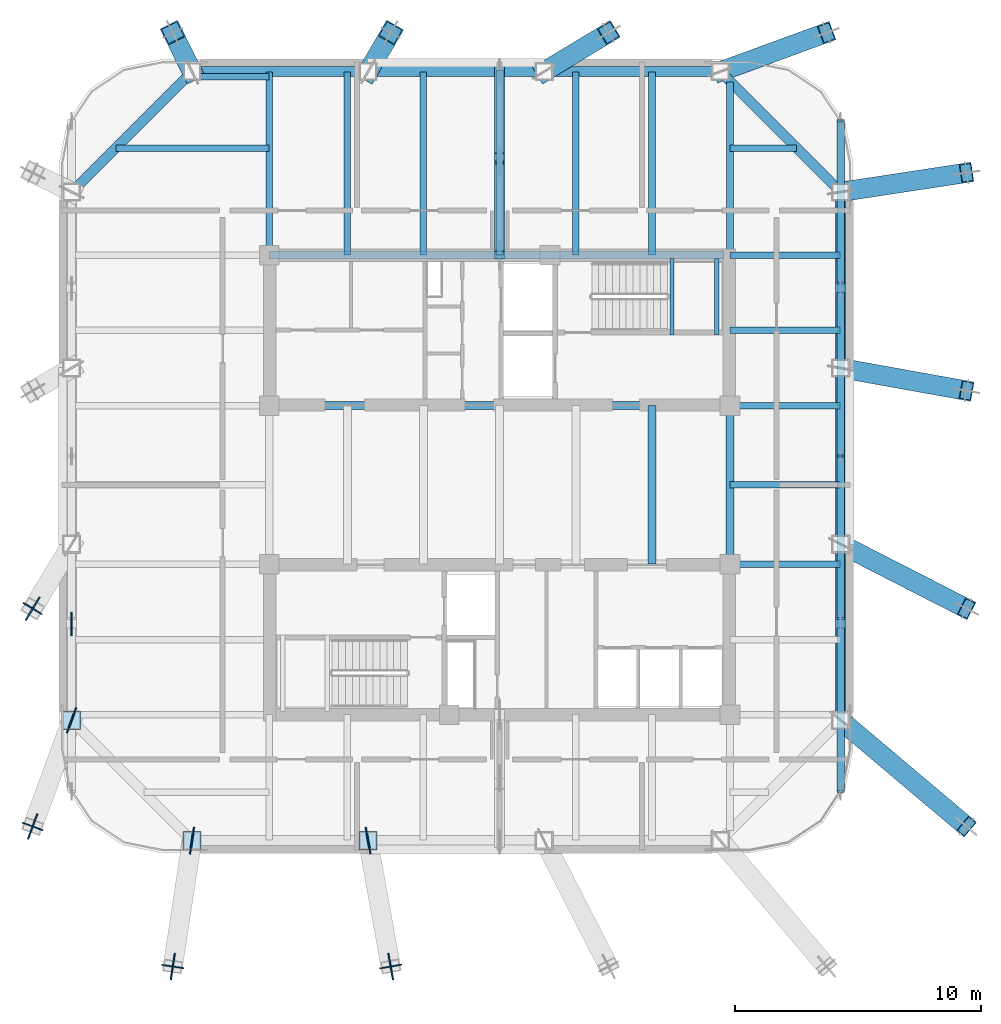
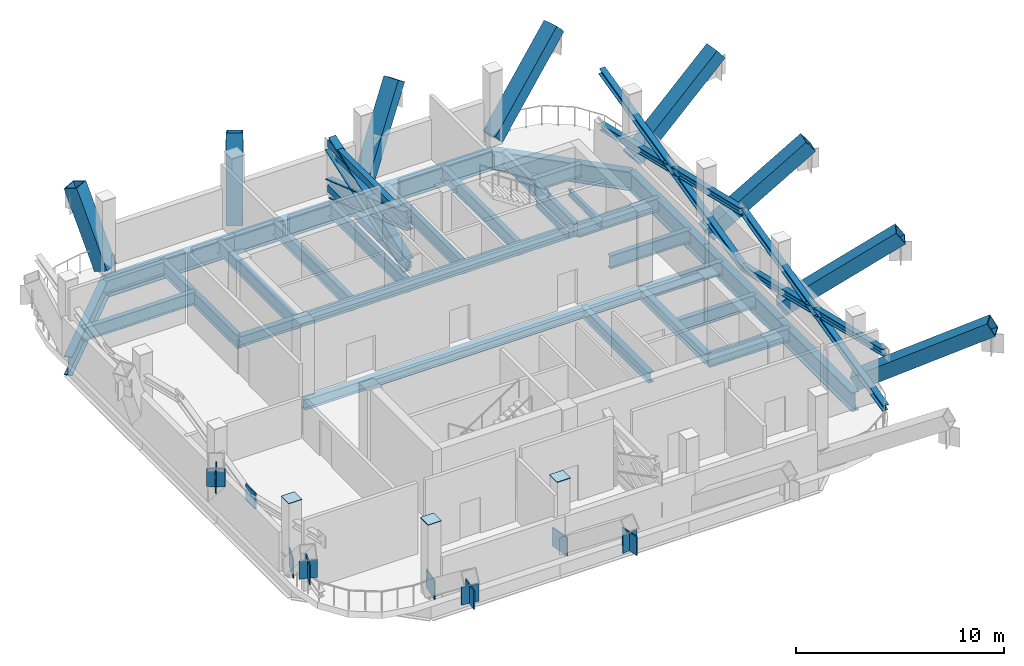
# One storey, part 2 of 9: 29 beams, 19 members, 15 plates.
"""IFC4 building model written with IfcOpenShell, lengths in metres."""

import ifcopenshell
import ifcopenshell.guid

model = None  # the IFC model being written
_history = None  # IfcOwnerHistory: only IFC2X3 demands one
_inside = {}  # id of a spatial element -> (the spatial element, [elements in it])
_under = {}  # id of a project, library or spatial element -> (it, [spatial elements below it])
_declared = {}  # id of a project -> (the project, [libraries it declares])
_typed = {}  # id of a type object -> (the type object, [elements of that type])
_made_of = {}  # id of a material, layer set ... -> (it, [elements and type objects made of it])


def new_model(schema):
    """Start an empty IFC model of exactly this schema.

    Asked for "IFC4X3", IfcOpenShell would pick the latest addendum, in which some entities
    have other attributes; the version numbers below select the first issue.
    IFC2X3 requires an IfcOwnerHistory on every rooted entity: one is made here for all.
    """
    global model, _history
    if schema == "IFC4X3":
        model = ifcopenshell.file(schema_version=(4, 3, 0, 0))
    else:
        model = ifcopenshell.file(schema=schema)
    _inside.clear()
    _under.clear()
    _declared.clear()
    _typed.clear()
    _made_of.clear()
    _history = None
    if model.schema == "IFC2X3":
        org = make("IfcOrganization", Name="unknown")
        user = make(
            "IfcPersonAndOrganization",
            ThePerson=make("IfcPerson", FamilyName="unknown"),
            TheOrganization=org,
        )
        app = make(
            "IfcApplication",
            ApplicationDeveloper=org,
            Version="unknown",
            ApplicationFullName="unknown",
            ApplicationIdentifier="unknown",
        )
        _history = make(
            "IfcOwnerHistory",
            OwningUser=user,
            OwningApplication=app,
            ChangeAction="ADDED",
            CreationDate=0,
        )
    return model


def make(cls, **values):
    """One entity of the class cls with the attributes given. An attribute that is None is left unset."""
    return model.create_entity(
        cls, **{name: value for name, value in values.items() if value is not None}
    )


def rooted(cls, **values):
    """An entity with a GlobalId (a new one), such as an element, a storey or a relation."""
    return make(cls, GlobalId=ifcopenshell.guid.new(), OwnerHistory=_history, **values)


def si_unit(unit_type, name, prefix=None):
    """IfcSIUnit, for example si_unit("LENGTHUNIT", "METRE", prefix="MILLI")."""
    return make("IfcSIUnit", UnitType=unit_type, Prefix=prefix, Name=name)


def assignment(units):
    """IfcUnitAssignment: the units of a project."""
    return None if units is None else make("IfcUnitAssignment", Units=units)


def point(xyz):
    """IfcCartesianPoint."""
    return None if xyz is None else make("IfcCartesianPoint", Coordinates=xyz)


def direction(xyz):
    """IfcDirection."""
    return None if xyz is None else make("IfcDirection", DirectionRatios=xyz)


def frame(location, z_axis=None, x_axis=None):
    """IfcAxis2Placement3D, a coordinate frame: its origin and axes. An axis left out is left unset."""
    return make(
        "IfcAxis2Placement3D",
        Location=point(location),
        Axis=direction(z_axis),
        RefDirection=direction(x_axis),
    )


def frame_2d(location, x_axis=None):
    """IfcAxis2Placement2D, a coordinate frame in the plane: its origin and x axis."""
    return make(
        "IfcAxis2Placement2D", Location=point(location), RefDirection=direction(x_axis)
    )


def origin():
    """The frame at (0, 0, 0) with its axes left unset."""
    return frame((0.0, 0.0, 0.0))


def origin_2d():
    """The frame at (0, 0) in the plane with its x axis left unset."""
    return frame_2d((0.0, 0.0))


def place(relative_to, where):
    """IfcLocalPlacement: puts the frame where relative to a parent placement (None: the world)."""
    return make(
        "IfcLocalPlacement", PlacementRelTo=relative_to, RelativePlacement=where
    )


def context(
    kind, dimensions, precision=None, world=None, true_north=None, identifier=None
):
    """IfcGeometricRepresentationContext, for example the 3D "Model" context."""
    return make(
        "IfcGeometricRepresentationContext",
        ContextIdentifier=identifier,
        ContextType=kind,
        CoordinateSpaceDimension=dimensions,
        Precision=precision,
        WorldCoordinateSystem=world,
        TrueNorth=true_north,
    )


def subcontext(parent, identifier, kind, view, scale=None):
    """IfcGeometricRepresentationSubContext, for example "Body" below "Model"."""
    return make(
        "IfcGeometricRepresentationSubContext",
        ContextIdentifier=identifier,
        ContextType=kind,
        ParentContext=parent,
        TargetScale=scale,
        TargetView=view,
    )


def project(units=None, contexts=None):
    """IfcProject with its units and contexts."""
    return rooted(
        "IfcProject",
        Name="project",
        RepresentationContexts=contexts,
        UnitsInContext=assignment(units),
    )


def spatial(cls, under=None, at=None, **own):
    """A site, building, storey or space (cls), placed at a placement, below another one or the project."""
    s = rooted(cls, ObjectPlacement=at, **own)
    if under is not None:
        _under.setdefault(under.id(), (under, []))[1].append(s)
    return s


def profile(cls, at=None, kind="AREA", **sizes):
    """A parametric profile (cls). Its sizes go by their IFC names, for example OverallWidth=200.0."""
    return make(cls, ProfileType=kind, Position=at, **sizes)


def rectangle(**sizes):
    """IfcRectangleProfileDef."""
    return profile("IfcRectangleProfileDef", **sizes)


def hollow_rectangle(**sizes):
    """IfcRectangleHollowProfileDef."""
    return profile("IfcRectangleHollowProfileDef", **sizes)


def i_section(**sizes):
    """IfcIShapeProfileDef."""
    return profile("IfcIShapeProfileDef", **sizes)


def extrude(swept, where, along, depth):
    """IfcExtrudedAreaSolid: the profile swept, set in the frame where, extruded along a direction by depth."""
    return make(
        "IfcExtrudedAreaSolid",
        SweptArea=swept,
        Position=where,
        ExtrudedDirection=direction(along),
        Depth=depth,
    )


def shape(context_of_items, identifier, shape_type, items):
    """IfcShapeRepresentation: the items that make up one representation, for example the "Body"."""
    return make(
        "IfcShapeRepresentation",
        ContextOfItems=context_of_items,
        RepresentationIdentifier=identifier,
        RepresentationType=shape_type,
        Items=items,
    )


def material(Name=None, Category=None):
    """IfcMaterial."""
    return make("IfcMaterial", Name=Name, Category=Category)


def layer(
    of_material, thickness, ventilated=None, Name=None, Category=None, Priority=None
):
    """IfcMaterialLayer: one layer of a wall or slab, of a material (None: an air gap)."""
    return make(
        "IfcMaterialLayer",
        Material=of_material,
        LayerThickness=thickness,
        IsVentilated=ventilated,
        Name=Name,
        Category=Category,
        Priority=Priority,
    )


def layer_set(layers, Name=None):
    """IfcMaterialLayerSet."""
    return make("IfcMaterialLayerSet", MaterialLayers=layers, LayerSetName=Name)


def material_profile(
    of_material, cross_section, Name=None, Category=None, Priority=None
):
    """IfcMaterialProfile: a cross section and its material."""
    return make(
        "IfcMaterialProfile",
        Name=Name,
        Material=of_material,
        Profile=cross_section,
        Priority=Priority,
        Category=Category,
    )


def profile_set(profiles, Name=None, composite=None):
    """IfcMaterialProfileSet."""
    return make(
        "IfcMaterialProfileSet",
        Name=Name,
        MaterialProfiles=profiles,
        CompositeProfile=composite,
    )


def made_of(thing, what):
    """Note that an element or type object is made of a material, layer set ...; save() writes the relation."""
    if what is not None:
        _made_of.setdefault(what.id(), (what, []))[1].append(thing)
    return thing


def type_object(cls, material=None, **own):
    """A type object (cls), such as IfcWallType, which elements share."""
    return made_of(rooted(cls, **own), material)


def element(
    cls,
    number,
    at=None,
    inside=None,
    cuts=None,
    type_object=None,
    material=None,
    context=None,
    identifier="Body",
    shape_type=None,
    held_by="IfcProductDefinitionShape",
    body=None,
    shapes=None,
    **own,
):
    """One element of the class cls, such as IfcWall. Its Tag is "e" and its number.

    at: its placement. inside: the storey or other place that contains it. cuts: it is an
    opening in that element (IfcRelVoidsElement). A single representation is given by context,
    identifier, shape_type and body (its items); several are given by shapes. held_by: the class
    of the entity that holds the representations. save() writes the other relations.
    """
    e = rooted(cls, Tag="e%d" % number, ObjectPlacement=at, **own)
    if body is not None:
        shapes = [shape(context, identifier, shape_type, body)]
    if shapes is not None:
        e.Representation = make(held_by, Representations=shapes)
    if inside is not None:
        _inside.setdefault(inside.id(), (inside, []))[1].append(e)
    if cuts is not None:
        rooted(
            "IfcRelVoidsElement", RelatingBuildingElement=cuts, RelatedOpeningElement=e
        )
    if type_object is not None:
        _typed.setdefault(type_object.id(), (type_object, []))[1].append(e)
    return made_of(e, material)


def aggregate(whole, parts):
    """IfcRelAggregates: a whole, such as a stair, and the parts it consists of."""
    return rooted("IfcRelAggregates", RelatingObject=whole, RelatedObjects=parts)


def save(model, path):
    """Write the relations noted so far, then the file.

    IfcRelAggregates (storeys below a building ...), IfcRelContainedInSpatialStructure (elements
    in a storey), IfcRelDefinesByType, IfcRelAssociatesMaterial and IfcRelDeclares: one each for
    every whole, place, type object, material and project.
    """
    for whole, parts in _under.values():
        aggregate(whole, parts)
    for where, things in _inside.values():
        rooted(
            "IfcRelContainedInSpatialStructure",
            RelatedElements=things,
            RelatingStructure=where,
        )
    for kind, things in _typed.values():
        rooted("IfcRelDefinesByType", RelatedObjects=things, RelatingType=kind)
    for what, things in _made_of.values():
        rooted("IfcRelAssociatesMaterial", RelatedObjects=things, RelatingMaterial=what)
    for by, libraries in _declared.values():
        rooted("IfcRelDeclares", RelatingContext=by, RelatedDefinitions=libraries)
    model.write(path)


model = new_model("IFC4")

# Units and contexts
model_context = context("Model", 3, precision=1e-05, world=origin(), true_north=direction((0.0, 1.0)))
body_context = subcontext(model_context, "Body", "Model", "MODEL_VIEW")
ifc_project = project(units=[si_unit("LENGTHUNIT", "METRE"), si_unit("AREAUNIT", "SQUARE_METRE"), si_unit("VOLUMEUNIT", "CUBIC_METRE"), si_unit("PLANEANGLEUNIT", "RADIAN"), si_unit("MASSUNIT", "GRAM", prefix="KILO")], contexts=[model_context])

# Site, building, storey
site_placement = place(None, origin())
site = spatial("IfcSite", under=ifc_project, at=site_placement, CompositionType="ELEMENT")
building_placement = place(site_placement, origin())
building = spatial("IfcBuilding", under=site, at=building_placement, Name="Qhalaya Broadcast Tower", CompositionType="ELEMENT")
storey_placement = place(building_placement, frame((0.0, 0.0, 195.14990234375)))
storey = spatial("IfcBuildingStorey", under=building, at=storey_placement, Name="L57", CompositionType="ELEMENT", Elevation=195.14990234375)

# Members
ifc_material_1 = material(Name="Structural Steel ASTM A572 Grade 50", Category="steel")
ifc_material_profile_1 = material_profile(ifc_material_1, i_section(OverallWidth=0.31298828125, OverallDepth=0.3798828125, WebThickness=0.01806640625, FlangeThickness=0.028076171875, at=origin_2d()), Name="W12X120")
ifc_profile_set_1 = profile_set([ifc_material_profile_1], Name="Structural Steel ASTM A572 Grade 50")
member_type_1 = type_object("IfcMemberType", Name="Belt-Truss Diagonal Brace OB2", PredefinedType="BRACE", material=ifc_profile_set_1)
member_1_placement = place(storey_placement, frame((13.8798828125, -11.8798828125, 0.4501953125), z_axis=(0.0, 0.972644892712, 0.232297035457), x_axis=(-1.0, 0.0, 0.0)))
element("IfcMember", 1, at=member_1_placement, inside=storey, type_object=member_type_1, Name="L57 Belt Truss Continuous Brace E1A", PredefinedType="BRACE", context=body_context, shape_type="SweptSolid", body=[
    extrude(i_section(OverallWidth=0.31298828125, OverallDepth=0.3798828125, WebThickness=0.01806640625, FlangeThickness=0.028076171875, at=origin_2d()), origin(), (0.0, 0.0, 1.0), 14.03369140625),
])
member_2_placement = place(storey_placement, frame((13.8798828125, -11.8798828125, 3.710205078125), z_axis=(0.0, 0.972637148541, -0.232329458482), x_axis=(-1.0, 0.0, 0.0)))
element("IfcMember", 2, at=member_2_placement, inside=storey, type_object=member_type_1, Name="L57 Belt Truss Split Brace E1B1", PredefinedType="BRACE", context=body_context, shape_type="SweptSolid", body=[
    extrude(i_section(OverallWidth=0.31298828125, OverallDepth=0.3798828125, WebThickness=0.01806640625, FlangeThickness=0.028076171875, at=origin_2d()), origin(), (0.0, 0.0, 1.0), 6.796875),
])
member_3_placement = place(storey_placement, frame((13.8798828125, -4.841064453125, 2.029052734375), z_axis=(0.0, 0.972647203091, -0.232287361512), x_axis=(-1.0, 0.0, 0.0)))
element("IfcMember", 3, at=member_3_placement, inside=storey, type_object=member_type_1, Name="L57 Belt Truss Split Brace E1B2", PredefinedType="BRACE", context=body_context, shape_type="SweptSolid", body=[
    extrude(i_section(OverallWidth=0.31298828125, OverallDepth=0.3798828125, WebThickness=0.01806640625, FlangeThickness=0.028076171875, at=origin_2d()), origin(), (0.0, 0.0, 1.0), 6.797119140625),
])
member_4_placement = place(storey_placement, frame((13.8798828125, 1.77001953125, 0.4501953125), z_axis=(0.0, 0.972644892712, 0.232297035457), x_axis=(-1.0, 0.0, 0.0)))
element("IfcMember", 4, at=member_4_placement, inside=storey, type_object=member_type_1, Name="L57 Belt Truss Continuous Brace E2A", PredefinedType="BRACE", context=body_context, shape_type="SweptSolid", body=[
    extrude(i_section(OverallWidth=0.31298828125, OverallDepth=0.3798828125, WebThickness=0.01806640625, FlangeThickness=0.028076171875, at=origin_2d()), origin(), (0.0, 0.0, 1.0), 14.03369140625),
])
member_5_placement = place(storey_placement, frame((13.8798828125, 1.77001953125, 3.710205078125), z_axis=(0.0, 0.972639087283, -0.232321341872), x_axis=(-1.0, 0.0, 0.0)))
element("IfcMember", 5, at=member_5_placement, inside=storey, type_object=member_type_1, Name="L57 Belt Truss Split Brace E2B1", PredefinedType="BRACE", context=body_context, shape_type="SweptSolid", body=[
    extrude(i_section(OverallWidth=0.31298828125, OverallDepth=0.3798828125, WebThickness=0.01806640625, FlangeThickness=0.028076171875, at=origin_2d()), origin(), (0.0, 0.0, 1.0), 6.797119140625),
])
member_6_placement = place(storey_placement, frame((13.8798828125, 8.80908203125, 2.029052734375), z_axis=(0.0, 0.9726452649, -0.23229547707), x_axis=(-1.0, 0.0, 0.0)))
element("IfcMember", 6, at=member_6_placement, inside=storey, type_object=member_type_1, Name="L57 Belt Truss Split Brace E2B2", PredefinedType="BRACE", context=body_context, shape_type="SweptSolid", body=[
    extrude(i_section(OverallWidth=0.31298828125, OverallDepth=0.3798828125, WebThickness=0.01806640625, FlangeThickness=0.028076171875, at=origin_2d()), origin(), (0.0, 0.0, 1.0), 6.796875),
])

# Beams
ifc_material_2 = material(Name="Structural Steel ASTM A992 Grade 50", Category="steel")
ifc_material_profile_2 = material_profile(ifc_material_2, i_section(OverallWidth=0.323974609375, OverallDepth=0.612060546875, WebThickness=0.0126953125, FlangeThickness=0.01904296875, at=origin_2d()), Name="W24X104")
ifc_profile_set_2 = profile_set([ifc_material_profile_2], Name="Structural Steel ASTM A992 Grade 50")
beam_type_1 = type_object("IfcBeamType", Name="Core Frame Tie Beam B04", PredefinedType="BEAM", material=ifc_profile_set_2)
beam_1_placement = place(storey_placement, frame((-9.375, 3.824951171875, -0.685791015625), z_axis=(1.0, 0.0, 0.0), x_axis=(0.0, 1.0, 0.0)))
element("IfcBeam", 7, at=beam_1_placement, inside=storey, type_object=beam_type_1, Name="L57 B04 L57-CCN1", PredefinedType="BEAM", context=body_context, shape_type="SweptSolid", body=[
    extrude(i_section(OverallWidth=0.323974609375, OverallDepth=0.612060546875, WebThickness=0.0126953125, FlangeThickness=0.01904296875, at=origin_2d()), origin(), (0.0, 0.0, 1.0), 18.75),
])
beam_2_placement = place(storey_placement, frame((-9.375, 9.949951171875, -0.685791015625), z_axis=(1.0, 0.0, 0.0), x_axis=(0.0, 1.0, 0.0)))
element("IfcBeam", 8, at=beam_2_placement, inside=storey, type_object=beam_type_1, Name="L57 B04 L57-CCN3", PredefinedType="BEAM", context=body_context, shape_type="SweptSolid", body=[
    extrude(i_section(OverallWidth=0.323974609375, OverallDepth=0.612060546875, WebThickness=0.0126953125, FlangeThickness=0.01904296875, at=origin_2d()), origin(), (0.0, 0.0, 1.0), 18.4951171875),
])
for number, where, z_axis, x_axis, name in (
    (9, (9.375, -2.625, -0.685791015625), (0.0, 1.0, 0.0), (-1.0, 0.0, 0.0), "L57 B04 L57-CCE"),
    (10, (6.199951171875, -2.625, -0.685791015625), (0.0, 1.0, 0.0), (-1.0, 0.0, 0.0), "L57 B04 L57-JC5-1"),
):
    element("IfcBeam", number, at=place(storey_placement, frame(where, z_axis=z_axis, x_axis=x_axis)), inside=storey, type_object=beam_type_1, Name=name, PredefinedType="BEAM", context=body_context, shape_type="SweptSolid", body=[
        extrude(i_section(OverallWidth=0.323974609375, OverallDepth=0.612060546875, WebThickness=0.0126953125, FlangeThickness=0.01904296875, at=origin_2d()), origin(), (0.0, 0.0, 1.0), 6.449951171875),
    ])

# Members
ifc_material_profile_3 = material_profile(ifc_material_1, i_section(OverallWidth=0.40087890625, OverallDepth=1.0009765625, WebThickness=0.01904296875, FlangeThickness=0.0361328125, at=origin_2d()), Name="W40X249")
ifc_profile_set_3 = profile_set([ifc_material_profile_3], Name="Structural Steel ASTM A572 Grade 50")
member_type_2 = type_object("IfcMemberType", Name="Core-to-Perimeter Outrigger Brace OB1", PredefinedType="BRACE", material=ifc_profile_set_3)
member_7_placement = place(storey_placement, frame((0.0, 9.949951171875, 0.4501953125), z_axis=(0.0, 0.943941458263, 0.33011289489), x_axis=(-1.0, 0.0, 0.0)))
element("IfcMember", 11, at=member_7_placement, inside=storey, type_object=member_type_2, Name="L57 Outrigger Continuous Diagonal NCA", PredefinedType="BRACE", context=body_context, shape_type="SweptSolid", body=[
    extrude(i_section(OverallWidth=0.40087890625, OverallDepth=1.0009765625, WebThickness=0.01904296875, FlangeThickness=0.0361328125, at=origin_2d()), origin(), (0.0, 0.0, 1.0), 7.966552734375),
])
member_8_placement = place(storey_placement, frame((0.0, 9.949951171875, 3.080078125), z_axis=(0.0, 0.943930526234, -0.330144152822), x_axis=(-1.0, 0.0, 0.0)))
element("IfcMember", 12, at=member_8_placement, inside=storey, type_object=member_type_2, Name="L57 Outrigger Split Diagonal NCB1", PredefinedType="BRACE", context=body_context, shape_type="SweptSolid", body=[
    extrude(i_section(OverallWidth=0.40087890625, OverallDepth=1.0009765625, WebThickness=0.01904296875, FlangeThickness=0.0361328125, at=origin_2d()), origin(), (0.0, 0.0, 1.0), 3.743408203125),
])
member_9_placement = place(storey_placement, frame((0.0, 13.9365234375, 1.685791015625), z_axis=(0.0, 0.943950849628, -0.33008603952), x_axis=(-1.0, 0.0, 0.0)))
element("IfcMember", 13, at=member_9_placement, inside=storey, type_object=member_type_2, Name="L57 Outrigger Split Diagonal NCB2", PredefinedType="BRACE", context=body_context, shape_type="SweptSolid", body=[
    extrude(i_section(OverallWidth=0.40087890625, OverallDepth=1.0009765625, WebThickness=0.01904296875, FlangeThickness=0.0361328125, at=origin_2d()), origin(), (0.0, 0.0, 1.0), 3.7431640625),
])

# Beams
ifc_material_profile_4 = material_profile(ifc_material_2, i_section(OverallWidth=0.26708984375, OverallDepth=0.780029296875, WebThickness=0.0166015625, FlangeThickness=0.030029296875, at=origin_2d()), Name="W30X148")
ifc_profile_set_4 = profile_set([ifc_material_profile_4], Name="Structural Steel ASTM A992 Grade 50")
beam_type_2 = type_object("IfcBeamType", Name="Neck & Crown Primary Girder PG5", PredefinedType="USERDEFINED", material=ifc_profile_set_4)
beam_3_placement = place(storey_placement, frame((-9.375, 9.949951171875, -0.77001953125), z_axis=(0.0, 1.0, 0.0), x_axis=(-1.0, 0.0, 0.0)))
element("IfcBeam", 14, at=beam_3_placement, inside=storey, type_object=beam_type_2, Name="L57 PG5 L57-PGXN1-1", ObjectType="GIRDER", PredefinedType="USERDEFINED", context=body_context, shape_type="SweptSolid", body=[
    extrude(i_section(OverallWidth=0.26708984375, OverallDepth=0.780029296875, WebThickness=0.0166015625, FlangeThickness=0.030029296875, at=origin_2d()), origin(), (0.0, 0.0, 1.0), 7.449951171875),
])
beam_4_placement = place(storey_placement, frame((9.375, 9.949951171875, -0.77001953125), z_axis=(0.0, 1.0, 0.0), x_axis=(-1.0, 0.0, 0.0)))
element("IfcBeam", 15, at=beam_4_placement, inside=storey, type_object=beam_type_2, Name="L57 PG5 L57-PGXN2-1", ObjectType="GIRDER", PredefinedType="USERDEFINED", context=body_context, shape_type="SweptSolid", body=[
    extrude(i_section(OverallWidth=0.26708984375, OverallDepth=0.780029296875, WebThickness=0.0166015625, FlangeThickness=0.030029296875, at=origin_2d()), origin(), (0.0, 0.0, 1.0), 7.046630859375),
])
for number, where, z_axis, x_axis, name in (
    (16, (9.375, -2.625, -0.77001953125), (1.0, 0.0, 0.0), (0.0, 1.0, 0.0), "L57 PG5 L57-PGYE2-1"),
    (17, (9.375, 3.824951171875, -0.77001953125), (1.0, 0.0, 0.0), (0.0, 1.0, 0.0), "L57 PG5 L57-PGYE3-1"),
    (18, (9.375, 9.949951171875, -0.77001953125), (1.0, 0.0, 0.0), (0.0, 1.0, 0.0), "L57 PG5 L57-PGYE4-1"),
):
    element("IfcBeam", number, at=place(storey_placement, frame(where, z_axis=z_axis, x_axis=x_axis)), inside=storey, type_object=beam_type_2, Name=name, ObjectType="GIRDER", PredefinedType="USERDEFINED", context=body_context, shape_type="SweptSolid", body=[
        extrude(i_section(OverallWidth=0.26708984375, OverallDepth=0.780029296875, WebThickness=0.0166015625, FlangeThickness=0.030029296875, at=origin_2d()), origin(), (0.0, 0.0, 1.0), 4.485107421875),
    ])

# Members
ifc_material_profile_5 = material_profile(ifc_material_1, hollow_rectangle(XDim=0.300048828125, YDim=0.39990234375, WallThickness=0.02001953125, at=origin_2d()), Name="HSS 300x400x20")
ifc_profile_set_5 = profile_set([ifc_material_profile_5], Name="Structural Steel ASTM A572 Grade 50")
member_type_3 = type_object("IfcMemberType", Name="Outrigger & Belt-Truss Chord CH1", PredefinedType="CHORD", material=ifc_profile_set_5)
for number, where, z_axis, x_axis, name in (
    (19, (0.0, 9.949951171875, 0.4501953125), (0.0, 1.0, 0.0), (-1.0, 0.0, 0.0), "L57 Outrigger Bottom Chord NC"),
    (20, (0.0, 9.949951171875, 3.080078125), (0.0, 1.0, 0.0), (-1.0, 0.0, 0.0), "L57 Outrigger Top Chord NC"),
):
    element("IfcMember", number, at=place(storey_placement, frame(where, z_axis=z_axis, x_axis=x_axis)), inside=storey, type_object=member_type_3, Name=name, PredefinedType="CHORD", context=body_context, shape_type="SweptSolid", body=[
        extrude(hollow_rectangle(XDim=0.300048828125, YDim=0.39990234375, WallThickness=0.02001953125, at=origin_2d()), origin(), (0.0, 0.0, 1.0), 7.52001953125),
    ])

# Beams
ifc_material_profile_6 = material_profile(ifc_material_2, i_section(OverallWidth=0.26708984375, OverallDepth=0.761962890625, WebThickness=0.014404296875, FlangeThickness=0.021484375, at=origin_2d()), Name="W30X116")
ifc_profile_set_6 = profile_set([ifc_material_profile_6], Name="Structural Steel ASTM A992 Grade 50")
beam_type_3 = type_object("IfcBeamType", Name="Plant & Server Floor Beam B02", PredefinedType="BEAM", material=ifc_profile_set_6)
for number, where, z_axis, x_axis, name in (
    (21, (-6.199951171875, 9.949951171875, -0.760986328125), (0.0, 1.0, 0.0), (-1.0, 0.0, 0.0), "L57 B02 L57-JNN1-1"),
    (22, (-3.10009765625, 9.949951171875, -0.760986328125), (0.0, 1.0, 0.0), (-1.0, 0.0, 0.0), "L57 B02 L57-JNN2-1"),
    (23, (0.0, 9.949951171875, -0.760986328125), (0.0, 1.0, 0.0), (-1.0, 0.0, 0.0), "L57 B02 L57-JNN3-1"),
    (24, (3.10009765625, 9.949951171875, -0.760986328125), (0.0, 1.0, 0.0), (-1.0, 0.0, 0.0), "L57 B02 L57-JNN4-1"),
    (25, (6.199951171875, 9.949951171875, -0.760986328125), (0.0, 1.0, 0.0), (-1.0, 0.0, 0.0), "L57 B02 L57-JNN5-1"),
):
    element("IfcBeam", number, at=place(storey_placement, frame(where, z_axis=z_axis, x_axis=x_axis)), inside=storey, type_object=beam_type_3, Name=name, PredefinedType="BEAM", context=body_context, shape_type="SweptSolid", body=[
        extrude(i_section(OverallWidth=0.26708984375, OverallDepth=0.761962890625, WebThickness=0.014404296875, FlangeThickness=0.021484375, at=origin_2d()), origin(), (0.0, 0.0, 1.0), 7.449951171875),
    ])
for number, where, z_axis, x_axis, name in (
    (26, (9.375, 0.60009765625, -0.760986328125), (1.0, 0.0, 0.0), (0.0, 1.0, 0.0), "L57 B02 L57-JWE4E-1"),
    (27, (9.375, 6.89990234375, -0.760986328125), (1.0, 0.0, 0.0), (0.0, 1.0, 0.0), "L57 B02 L57-JWE5E-1"),
):
    element("IfcBeam", number, at=place(storey_placement, frame(where, z_axis=z_axis, x_axis=x_axis)), inside=storey, type_object=beam_type_3, Name=name, PredefinedType="BEAM", context=body_context, shape_type="SweptSolid", body=[
        extrude(i_section(OverallWidth=0.26708984375, OverallDepth=0.761962890625, WebThickness=0.014404296875, FlangeThickness=0.021484375, at=origin_2d()), origin(), (0.0, 0.0, 1.0), 4.485107421875),
    ])
beam_5_placement = place(storey_placement, frame((-15.61181640625, 14.300048828125, -0.760986328125), z_axis=(1.0, 0.0, 0.0), x_axis=(0.0, 1.0, 0.0)))
element("IfcBeam", 28, at=beam_5_placement, inside=storey, type_object=beam_type_3, Name="L57 B02 L57-JWE6W-1", PredefinedType="BEAM", context=body_context, shape_type="SweptSolid", body=[
    extrude(i_section(OverallWidth=0.26708984375, OverallDepth=0.761962890625, WebThickness=0.014404296875, FlangeThickness=0.021484375, at=origin_2d()), origin(), (0.0, 0.0, 1.0), 6.23681640625),
])
beam_6_placement = place(storey_placement, frame((9.375, 14.300048828125, -0.760986328125), z_axis=(1.0, 0.0, 0.0), x_axis=(0.0, 1.0, 0.0)))
element("IfcBeam", 29, at=beam_6_placement, inside=storey, type_object=beam_type_3, Name="L57 B02 L57-JWE6E-1", PredefinedType="BEAM", context=body_context, shape_type="SweptSolid", body=[
    extrude(i_section(OverallWidth=0.26708984375, OverallDepth=0.761962890625, WebThickness=0.014404296875, FlangeThickness=0.021484375, at=origin_2d()), origin(), (0.0, 0.0, 1.0), 2.69677734375),
])
beam_7_placement = place(storey_placement, frame((-12.711669921875, 17.199951171875, -0.760986328125), z_axis=(1.0, 0.0, 0.0), x_axis=(0.0, 1.0, 0.0)))
element("IfcBeam", 30, at=beam_7_placement, inside=storey, type_object=beam_type_3, Name="L57 B02 L57-JWE7W-1", PredefinedType="BEAM", context=body_context, shape_type="SweptSolid", body=[
    extrude(i_section(OverallWidth=0.26708984375, OverallDepth=0.761962890625, WebThickness=0.014404296875, FlangeThickness=0.021484375, at=origin_2d()), origin(), (0.0, 0.0, 1.0), 3.336669921875),
])
ifc_material_profile_7 = material_profile(ifc_material_2, i_section(OverallWidth=0.404052734375, OverallDepth=1.117919921875, WebThickness=0.026123046875, FlangeThickness=0.044921875, at=origin_2d()), Name="W44X335")
ifc_profile_set_7 = profile_set([ifc_material_profile_7], Name="Structural Steel ASTM A992 Grade 50")
beam_type_4 = type_object("IfcBeamType", Name="Podium Long-Span Primary Girder PG1", PredefinedType="USERDEFINED", material=ifc_profile_set_7)
beam_8_placement = place(storey_placement, frame((13.8798828125, -8.97998046875, -0.93896484375), z_axis=(0.0, 1.0, 0.0), x_axis=(-1.0, 0.0, 0.0)))
element("IfcBeam", 31, at=beam_8_placement, inside=storey, type_object=beam_type_4, Name="L57 PG1 L57-SPR-05", ObjectType="GIRDER", PredefinedType="USERDEFINED", context=body_context, shape_type="SweptSolid", body=[
    extrude(i_section(OverallWidth=0.404052734375, OverallDepth=1.117919921875, WebThickness=0.026123046875, FlangeThickness=0.044921875, at=origin_2d()), origin(), (0.0, 0.0, 1.0), 7.166748046875),
])
beam_9_placement = place(storey_placement, frame((13.8798828125, -1.813232421875, -0.93896484375), z_axis=(0.0, 1.0, 0.0), x_axis=(-1.0, 0.0, 0.0)))
element("IfcBeam", 32, at=beam_9_placement, inside=storey, type_object=beam_type_4, Name="L57 PG1 L57-SPR-06", ObjectType="GIRDER", PredefinedType="USERDEFINED", context=body_context, shape_type="SweptSolid", body=[
    extrude(i_section(OverallWidth=0.404052734375, OverallDepth=1.117919921875, WebThickness=0.026123046875, FlangeThickness=0.044921875, at=origin_2d()), origin(), (0.0, 0.0, 1.0), 7.16650390625),
])
beam_10_placement = place(storey_placement, frame((13.8798828125, 5.353271484375, -0.93896484375), z_axis=(0.0, 1.0, 0.0), x_axis=(-1.0, 0.0, 0.0)))
element("IfcBeam", 33, at=beam_10_placement, inside=storey, type_object=beam_type_4, Name="L57 PG1 L57-SPR-07", ObjectType="GIRDER", PredefinedType="USERDEFINED", context=body_context, shape_type="SweptSolid", body=[
    extrude(i_section(OverallWidth=0.404052734375, OverallDepth=1.117919921875, WebThickness=0.026123046875, FlangeThickness=0.044921875, at=origin_2d()), origin(), (0.0, 0.0, 1.0), 7.166748046875),
])
beam_11_placement = place(storey_placement, frame((13.8798828125, 12.52001953125, -0.93896484375), z_axis=(-0.707106781187, 0.707106781187, 0.0), x_axis=(-0.707106781187, -0.707106781187, 0.0)))
element("IfcBeam", 34, at=beam_11_placement, inside=storey, type_object=beam_type_4, Name="L57 PG1 L57-SPR-08", ObjectType="GIRDER", PredefinedType="USERDEFINED", context=body_context, shape_type="SweptSolid", body=[
    extrude(i_section(OverallWidth=0.404052734375, OverallDepth=1.117919921875, WebThickness=0.026123046875, FlangeThickness=0.044921875, at=origin_2d()), origin(), (0.0, 0.0, 1.0), 6.929443359375),
])
beam_12_placement = place(storey_placement, frame((8.97998046875, 17.419921875, -0.93896484375), z_axis=(-1.0, 0.0, 0.0), x_axis=(0.0, -1.0, 0.0)))
element("IfcBeam", 35, at=beam_12_placement, inside=storey, type_object=beam_type_4, Name="L57 PG1 L57-SPR-09", ObjectType="GIRDER", PredefinedType="USERDEFINED", context=body_context, shape_type="SweptSolid", body=[
    extrude(i_section(OverallWidth=0.404052734375, OverallDepth=1.117919921875, WebThickness=0.026123046875, FlangeThickness=0.044921875, at=origin_2d()), origin(), (0.0, 0.0, 1.0), 7.166748046875),
])
beam_13_placement = place(storey_placement, frame((1.813232421875, 17.419921875, -0.93896484375), z_axis=(-1.0, 0.0, 0.0), x_axis=(0.0, -1.0, 0.0)))
element("IfcBeam", 36, at=beam_13_placement, inside=storey, type_object=beam_type_4, Name="L57 PG1 L57-SPR-10", ObjectType="GIRDER", PredefinedType="USERDEFINED", context=body_context, shape_type="SweptSolid", body=[
    extrude(i_section(OverallWidth=0.404052734375, OverallDepth=1.117919921875, WebThickness=0.026123046875, FlangeThickness=0.044921875, at=origin_2d()), origin(), (0.0, 0.0, 1.0), 7.16650390625),
])
beam_14_placement = place(storey_placement, frame((-5.353271484375, 17.419921875, -0.93896484375), z_axis=(-1.0, 0.0, 0.0), x_axis=(0.0, -1.0, 0.0)))
element("IfcBeam", 37, at=beam_14_placement, inside=storey, type_object=beam_type_4, Name="L57 PG1 L57-SPR-11", ObjectType="GIRDER", PredefinedType="USERDEFINED", context=body_context, shape_type="SweptSolid", body=[
    extrude(i_section(OverallWidth=0.404052734375, OverallDepth=1.117919921875, WebThickness=0.026123046875, FlangeThickness=0.044921875, at=origin_2d()), origin(), (0.0, 0.0, 1.0), 7.166748046875),
])
beam_15_placement = place(storey_placement, frame((-12.52001953125, 17.419921875, -0.93896484375), z_axis=(-0.707106781187, -0.707106781187, 0.0), x_axis=(0.707106781187, -0.707106781187, 0.0)))
element("IfcBeam", 38, at=beam_15_placement, inside=storey, type_object=beam_type_4, Name="L57 PG1 L57-SPR-12", ObjectType="GIRDER", PredefinedType="USERDEFINED", context=body_context, shape_type="SweptSolid", body=[
    extrude(i_section(OverallWidth=0.404052734375, OverallDepth=1.117919921875, WebThickness=0.026123046875, FlangeThickness=0.044921875, at=origin_2d()), origin(), (0.0, 0.0, 1.0), 6.929443359375),
])

# Members
ifc_material_profile_8 = material_profile(ifc_material_1, hollow_rectangle(XDim=0.800048828125, YDim=0.800048828125, WallThickness=0.050048828125, at=origin_2d()), Name="BOX 800x800x50")
ifc_profile_set_8 = profile_set([ifc_material_profile_8], Name="Structural Steel ASTM A572 Grade 50")
member_type_4 = type_object("IfcMemberType", Name="Upper Exoskeleton Transfer Strut RK2", PredefinedType="BRACE", material=ifc_profile_set_8)
member_10_placement = place(storey_placement, frame((13.8798828125, -8.97998046875, 0.353515625), z_axis=(0.656364552405, -0.553803678944, 0.51233490954), x_axis=(0.644868278184, 0.764293728741, 0.0)))
element("IfcMember", 39, at=member_10_placement, inside=storey, type_object=member_type_4, Name="L57 Inclined Exoskeleton Transfer Strut 05", PredefinedType="BRACE", context=body_context, shape_type="SweptSolid", body=[
    extrude(hollow_rectangle(XDim=0.800048828125, YDim=0.800048828125, WallThickness=0.050048828125, at=origin_2d()), origin(), (0.0, 0.0, 1.0), 7.80078125),
])
member_11_placement = place(storey_placement, frame((13.8798828125, -1.813232421875, 0.338134765625), z_axis=(0.730131807297, -0.373630295437, 0.572108334413), x_axis=(0.455547780003, 0.890211334535, 0.0)))
element("IfcMember", 40, at=member_11_placement, inside=storey, type_object=member_type_4, Name="L57 Inclined Exoskeleton Transfer Strut 06", PredefinedType="BRACE", context=body_context, shape_type="SweptSolid", body=[
    extrude(hollow_rectangle(XDim=0.800048828125, YDim=0.800048828125, WallThickness=0.050048828125, at=origin_2d()), origin(), (0.0, 0.0, 1.0), 7.0126953125),
])
member_12_placement = place(storey_placement, frame((13.8798828125, 5.353271484375, 0.326416015625), z_axis=(0.778533770099, -0.139877705785, 0.611816472678), x_axis=(0.176836599339, 0.984240223286, 0.0)))
element("IfcMember", 41, at=member_12_placement, inside=storey, type_object=member_type_4, Name="L57 Inclined Exoskeleton Transfer Strut 07", PredefinedType="BRACE", context=body_context, shape_type="SweptSolid", body=[
    extrude(hollow_rectangle(XDim=0.800048828125, YDim=0.800048828125, WallThickness=0.050048828125, at=origin_2d()), origin(), (0.0, 0.0, 1.0), 6.57666015625),
])
member_13_placement = place(storey_placement, frame((13.8798828125, 12.52001953125, 0.325927734375), z_axis=(0.780647274143, 0.118928478013, 0.613551831952), x_axis=(-0.150608254153, 0.988593523032, 0.0)))
element("IfcMember", 42, at=member_13_placement, inside=storey, type_object=member_type_4, Name="L57 Inclined Exoskeleton Transfer Strut 08", PredefinedType="BRACE", context=body_context, shape_type="SweptSolid", body=[
    extrude(hollow_rectangle(XDim=0.800048828125, YDim=0.800048828125, WallThickness=0.050048828125, at=origin_2d()), origin(), (0.0, 0.0, 1.0), 6.558837890625),
])
member_14_placement = place(storey_placement, frame((8.97998046875, 17.419921875, 0.310791015625), z_axis=(0.705693496409, 0.258109539913, 0.659830398309), x_axis=(-0.343498186789, 0.939153339808, 0.0)))
element("IfcMember", 43, at=member_14_placement, inside=storey, type_object=member_type_4, Name="L57 Inclined Exoskeleton Transfer Strut 09", PredefinedType="BRACE", context=body_context, shape_type="SweptSolid", body=[
    extrude(hollow_rectangle(XDim=0.800048828125, YDim=0.800048828125, WallThickness=0.050048828125, at=origin_2d()), origin(), (0.0, 0.0, 1.0), 6.121826171875),
])
member_15_placement = place(storey_placement, frame((1.813232421875, 17.419921875, 0.249267578125), z_axis=(0.512092717708, 0.308820729501, 0.801492860543), x_axis=(-0.516418873888, 0.856336117825, 0.0)))
element("IfcMember", 44, at=member_15_placement, inside=storey, type_object=member_type_4, Name="L57 Inclined Exoskeleton Transfer Strut 10", PredefinedType="BRACE", context=body_context, shape_type="SweptSolid", body=[
    extrude(hollow_rectangle(XDim=0.800048828125, YDim=0.800048828125, WallThickness=0.050048828125, at=origin_2d()), origin(), (0.0, 0.0, 1.0), 5.116455078125),
])
member_16_placement = place(storey_placement, frame((-5.353271484375, 17.419921875, 0.17041015625), z_axis=(0.201644708889, 0.346349404439, 0.91617765822), x_axis=(-0.864204780249, 0.503140236709, 0.0)))
element("IfcMember", 45, at=member_16_placement, inside=storey, type_object=member_type_4, Name="L57 Inclined Exoskeleton Transfer Strut 11", PredefinedType="BRACE", context=body_context, shape_type="SweptSolid", body=[
    extrude(hollow_rectangle(XDim=0.800048828125, YDim=0.800048828125, WallThickness=0.050048828125, at=origin_2d()), origin(), (0.0, 0.0, 1.0), 4.56201171875),
])
member_17_placement = place(storey_placement, frame((-12.52001953125, 17.419921875, 0.165283203125), z_axis=(-0.171786933048, 0.347982795207, 0.921627486501), x_axis=(-0.896687846696, -0.442663422465, 0.0)))
element("IfcMember", 46, at=member_17_placement, inside=storey, type_object=member_type_4, Name="L57 Inclined Exoskeleton Transfer Strut 12", PredefinedType="BRACE", context=body_context, shape_type="SweptSolid", body=[
    extrude(hollow_rectangle(XDim=0.800048828125, YDim=0.800048828125, WallThickness=0.050048828125, at=origin_2d()), origin(), (0.0, 0.0, 1.0), 4.540771484375),
])

# Beams
ifc_material_profile_9 = material_profile(ifc_material_2, i_section(OverallWidth=0.177978515625, OverallDepth=0.406005859375, WebThickness=0.0078125, FlangeThickness=0.0126953125, at=origin_2d()), Name="W16X40")
ifc_profile_set_9 = profile_set([ifc_material_profile_9], Name="Structural Steel ASTM A992 Grade 50")
beam_type_5 = type_object("IfcBeamType", Name="Upper Perimeter Spandrel Beam SP2", PredefinedType="SPANDREL", material=ifc_profile_set_9)
for number, where, z_axis, x_axis, name in (
    (47, (7.014892578125, 6.699951171875, 1.772216796875), (0.0, 1.0, 0.0), (-1.0, 0.0, 0.0), "L57 ST-1 Half-Landing Bearer Beam 1"),
    (48, (8.830078125, 6.699951171875, 1.772216796875), (0.0, 1.0, 0.0), (-1.0, 0.0, 0.0), "L57 ST-1 Half-Landing Bearer Beam 2"),
):
    element("IfcBeam", number, at=place(storey_placement, frame(where, z_axis=z_axis, x_axis=x_axis)), inside=storey, type_object=beam_type_5, Name=name, PredefinedType="SPANDREL", context=body_context, shape_type="SweptSolid", body=[
        extrude(i_section(OverallWidth=0.177978515625, OverallDepth=0.406005859375, WebThickness=0.0078125, FlangeThickness=0.0126953125, at=origin_2d()), origin(), (0.0, 0.0, 1.0), 3.1201171875),
    ])

# Plates
ifc_layer_1 = layer(ifc_material_1, 0.054931640625, Name="Structural Steel ASTM A572 Grade 50")
ifc_layer_set_1 = layer_set([ifc_layer_1], Name="Structural Steel ASTM A572 Grade 50")
plate_type_1 = type_object("IfcPlateType", Name="Exoskeleton Diamond Node Gusset Plate NP-01", PredefinedType="USERDEFINED", material=ifc_layer_set_1)
for number, where, z_axis, x_axis, name in (
    (49, (-12.52001953125, -13.8798828125, 0.0), (0.0, 0.0, 1.0), (-0.150605193055, -0.988593989373, 0.0), "L57 Strut Foot Gusset Plate 01"),
    (50, (-13.300048828125, -19.0, 2.800048828125), (0.0, 0.0, 1.0), (-0.150605193055, -0.988593989373, 0.0), "L57 Strut Head Gusset Plate 01"),
    (51, (-5.353271484375, -13.8798828125, 0.0), (0.0, 0.0, 1.0), (0.176861428863, -0.984235761889, 0.0), "L57 Strut Foot Gusset Plate 02"),
    (52, (-4.433349609375, -19.0, 2.800048828125), (0.0, 0.0, 1.0), (0.176861428863, -0.984235761889, 0.0), "L57 Strut Head Gusset Plate 02"),
    (53, (-19.0, -4.433349609375, 2.800048828125), (0.0, 0.0, 1.0), (-0.516413766393, -0.856339197912, 0.0), "L57 Strut Head Gusset Plate 15"),
    (54, (-17.419921875, -8.97998046875, 0.0), (0.0, 0.0, 1.0), (-0.343495786485, -0.939154217723, 0.0), "L57 Strut Foot Gusset Plate 16"),
    (55, (-19.0, -13.300048828125, 2.800048828125), (0.0, 0.0, 1.0), (-0.343495786485, -0.939154217723, 0.0), "L57 Strut Head Gusset Plate 16"),
):
    element("IfcPlate", number, at=place(storey_placement, frame(where, z_axis=z_axis, x_axis=x_axis)), inside=storey, type_object=plate_type_1, Name=name, ObjectType="GUSSET_PLATE", PredefinedType="USERDEFINED", context=body_context, shape_type="SweptSolid", body=[
        extrude(rectangle(XDim=1.10009765625, YDim=0.06005859375, at=origin_2d()), origin(), (0.0, 0.0, 1.0), 1.10009765625),
    ])
ifc_layer_2 = layer(ifc_material_1, 0.4599609375, Name="Structural Steel ASTM A572 Grade 50")
ifc_layer_set_2 = layer_set([ifc_layer_2], Name="Structural Steel ASTM A572 Grade 50")
plate_type_2 = type_object("IfcPlateType", Name="Hollow Box Member End Cap Plate CP-01", PredefinedType="USERDEFINED", material=ifc_layer_set_2)
for number, where, z_axis, x_axis, name in (
    (56, (-12.52001953125, -13.8798828125, 4.35009765625), (0.0, 0.0, 1.0), (1.0, 0.0, 0.0), "L57 Hollow Box Column Top Cap Plate COL-NK01"),
    (57, (-5.353271484375, -13.8798828125, 4.35009765625), (0.0, 0.0, 1.0), (1.0, 0.0, 0.0), "L57 Hollow Box Column Top Cap Plate COL-NK02"),
    (58, (-17.419921875, -8.97998046875, 4.35009765625), (0.0, 0.0, 1.0), (0.0, 1.0, 0.0), "L57 Hollow Box Column Top Cap Plate COL-NK16"),
):
    element("IfcPlate", number, at=place(storey_placement, frame(where, z_axis=z_axis, x_axis=x_axis)), inside=storey, type_object=plate_type_2, Name=name, ObjectType="COVER_PLATE", PredefinedType="USERDEFINED", context=body_context, shape_type="SweptSolid", body=[
        extrude(rectangle(XDim=0.739990234375, YDim=0.739990234375, at=origin_2d()), origin(), (0.0, 0.0, 1.0), 0.031982421875),
    ])
ifc_layer_3 = layer(ifc_material_1, 0.06005859375, Name="Structural Steel ASTM A572 Grade 50")
ifc_layer_set_3 = layer_set([ifc_layer_3], Name="Structural Steel ASTM A572 Grade 50")
plate_type_3 = type_object("IfcPlateType", Name="Outrigger Core Embed Gusset Plate NP-02", PredefinedType="USERDEFINED", material=ifc_layer_set_3)
plate_placement = place(storey_placement, frame((-17.419921875, -5.054931640625, 1.60498046875), z_axis=(0.0, 0.0, 1.0), x_axis=(0.0, 1.0, 0.0)))
element("IfcPlate", 59, at=plate_placement, inside=storey, type_object=plate_type_3, Name="L57 Belt Truss X-Crossing Gusset W1", ObjectType="GUSSET_PLATE", PredefinedType="USERDEFINED", context=body_context, shape_type="SweptSolid", body=[
    extrude(rectangle(XDim=0.949951171875, YDim=0.06005859375, at=origin_2d()), origin(), (0.0, 0.0, 1.0), 0.949951171875),
])
ifc_layer_4 = layer(ifc_material_1, 0.044921875, Name="Structural Steel ASTM A572 Grade 50")
ifc_layer_set_4 = layer_set([ifc_layer_4], Name="Structural Steel ASTM A572 Grade 50")
plate_type_4 = type_object("IfcPlateType", Name="Transfer Girder Web Stiffener Plate WS-01", PredefinedType="USERDEFINED", material=ifc_layer_set_4)
for number, where, z_axis, x_axis, name in (
    (60, (-13.300048828125, -19.0, 2.8251953125), (0.0, 0.0, 1.0), (0.988593989373, -0.150605193055, 0.0), "L57 Strut Head Cross Diaphragm Plate 01"),
    (61, (-4.433349609375, -19.0, 2.8251953125), (0.0, 0.0, 1.0), (0.984235761889, 0.176861428863, 0.0), "L57 Strut Head Cross Diaphragm Plate 02"),
    (62, (-19.0, -4.433349609375, 2.8251953125), (0.0, 0.0, 1.0), (0.856339197912, -0.516413766393, 0.0), "L57 Strut Head Cross Diaphragm Plate 15"),
    (63, (-19.0, -13.300048828125, 2.8251953125), (0.0, 0.0, 1.0), (0.939154217723, -0.343495786485, 0.0), "L57 Strut Head Cross Diaphragm Plate 16"),
):
    element("IfcPlate", number, at=place(storey_placement, frame(where, z_axis=z_axis, x_axis=x_axis)), inside=storey, type_object=plate_type_4, Name=name, ObjectType="STIFFENER_PLATE", PredefinedType="USERDEFINED", context=body_context, shape_type="SweptSolid", body=[
        extrude(rectangle(XDim=0.89990234375, YDim=0.044921875, at=origin_2d()), origin(), (0.0, 0.0, 1.0), 1.050048828125),
    ])

save(model, "model.ifc")
